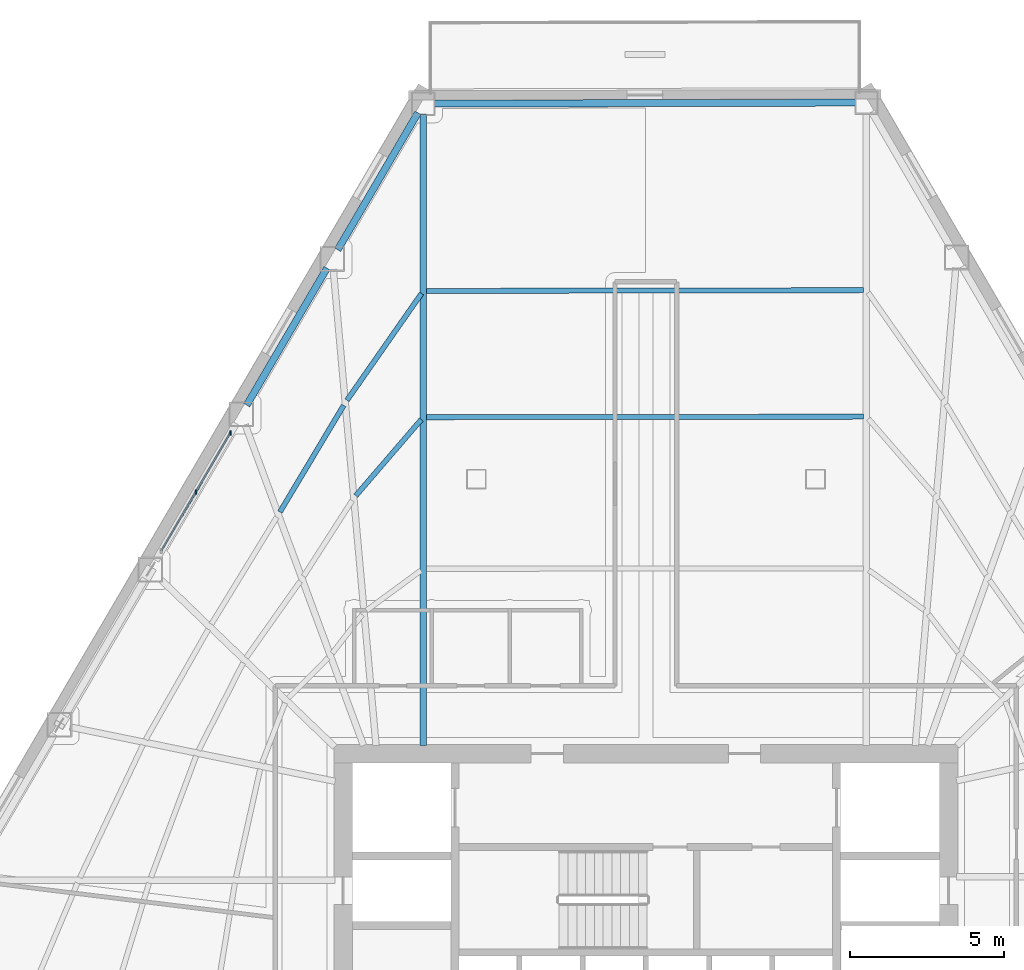
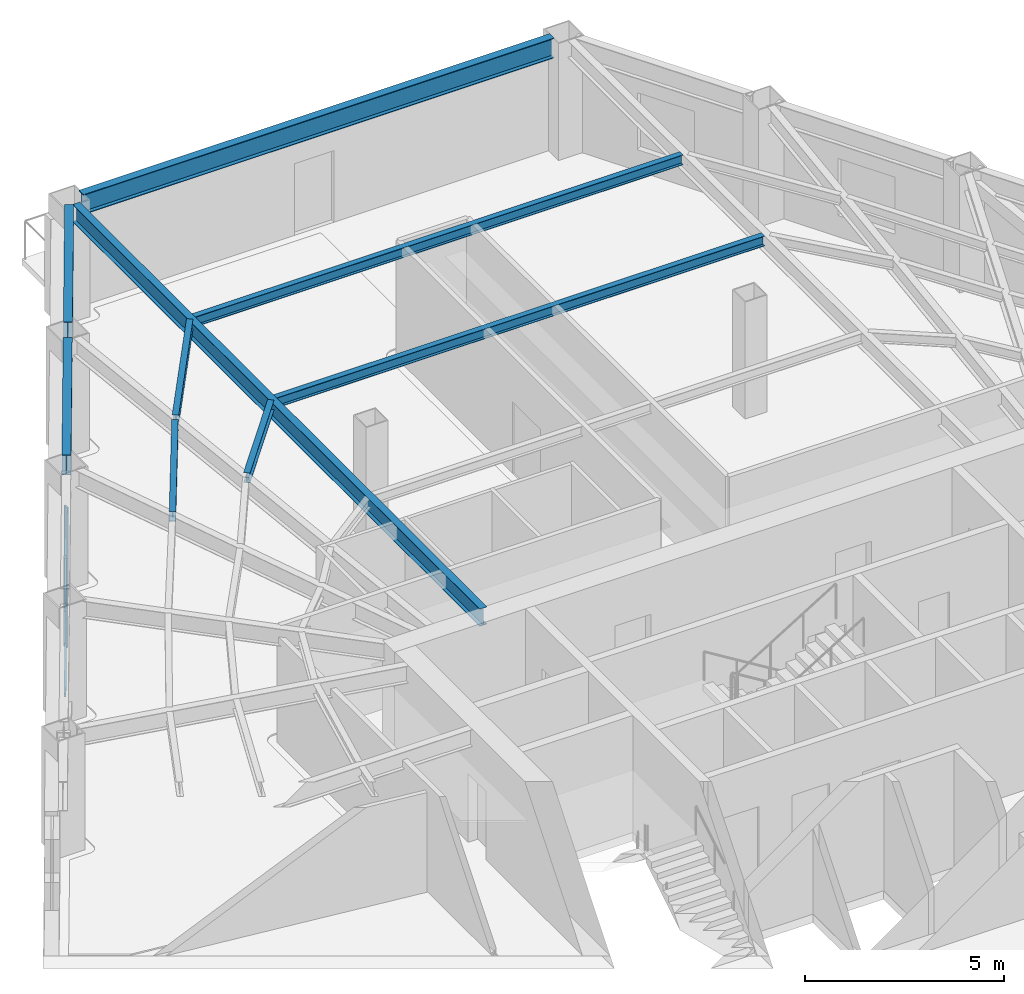
# One storey, part 4 of 15: 9 beams, 4 members, 1 element without a shape of its own.
"""IFC4 building model written with IfcOpenShell, lengths in metres."""

import ifcopenshell
import ifcopenshell.guid

model = None  # the IFC model being written
_history = None  # IfcOwnerHistory: only IFC2X3 demands one
_inside = {}  # id of a spatial element -> (the spatial element, [elements in it])
_under = {}  # id of a project, library or spatial element -> (it, [spatial elements below it])
_declared = {}  # id of a project -> (the project, [libraries it declares])
_typed = {}  # id of a type object -> (the type object, [elements of that type])
_made_of = {}  # id of a material, layer set ... -> (it, [elements and type objects made of it])


def new_model(schema):
    """Start an empty IFC model of exactly this schema.

    Asked for "IFC4X3", IfcOpenShell would pick the latest addendum, in which some entities
    have other attributes; the version numbers below select the first issue.
    IFC2X3 requires an IfcOwnerHistory on every rooted entity: one is made here for all.
    """
    global model, _history
    if schema == "IFC4X3":
        model = ifcopenshell.file(schema_version=(4, 3, 0, 0))
    else:
        model = ifcopenshell.file(schema=schema)
    _inside.clear()
    _under.clear()
    _declared.clear()
    _typed.clear()
    _made_of.clear()
    _history = None
    if model.schema == "IFC2X3":
        org = make("IfcOrganization", Name="unknown")
        user = make(
            "IfcPersonAndOrganization",
            ThePerson=make("IfcPerson", FamilyName="unknown"),
            TheOrganization=org,
        )
        app = make(
            "IfcApplication",
            ApplicationDeveloper=org,
            Version="unknown",
            ApplicationFullName="unknown",
            ApplicationIdentifier="unknown",
        )
        _history = make(
            "IfcOwnerHistory",
            OwningUser=user,
            OwningApplication=app,
            ChangeAction="ADDED",
            CreationDate=0,
        )
    return model


def make(cls, **values):
    """One entity of the class cls with the attributes given. An attribute that is None is left unset."""
    return model.create_entity(
        cls, **{name: value for name, value in values.items() if value is not None}
    )


def rooted(cls, **values):
    """An entity with a GlobalId (a new one), such as an element, a storey or a relation."""
    return make(cls, GlobalId=ifcopenshell.guid.new(), OwnerHistory=_history, **values)


def si_unit(unit_type, name, prefix=None):
    """IfcSIUnit, for example si_unit("LENGTHUNIT", "METRE", prefix="MILLI")."""
    return make("IfcSIUnit", UnitType=unit_type, Prefix=prefix, Name=name)


def assignment(units):
    """IfcUnitAssignment: the units of a project."""
    return None if units is None else make("IfcUnitAssignment", Units=units)


def point(xyz):
    """IfcCartesianPoint."""
    return None if xyz is None else make("IfcCartesianPoint", Coordinates=xyz)


def direction(xyz):
    """IfcDirection."""
    return None if xyz is None else make("IfcDirection", DirectionRatios=xyz)


def frame(location, z_axis=None, x_axis=None):
    """IfcAxis2Placement3D, a coordinate frame: its origin and axes. An axis left out is left unset."""
    return make(
        "IfcAxis2Placement3D",
        Location=point(location),
        Axis=direction(z_axis),
        RefDirection=direction(x_axis),
    )


def frame_2d(location, x_axis=None):
    """IfcAxis2Placement2D, a coordinate frame in the plane: its origin and x axis."""
    return make(
        "IfcAxis2Placement2D", Location=point(location), RefDirection=direction(x_axis)
    )


def origin():
    """The frame at (0, 0, 0) with its axes left unset."""
    return frame((0.0, 0.0, 0.0))


def origin_2d():
    """The frame at (0, 0) in the plane with its x axis left unset."""
    return frame_2d((0.0, 0.0))


def place(relative_to, where):
    """IfcLocalPlacement: puts the frame where relative to a parent placement (None: the world)."""
    return make(
        "IfcLocalPlacement", PlacementRelTo=relative_to, RelativePlacement=where
    )


def context(
    kind, dimensions, precision=None, world=None, true_north=None, identifier=None
):
    """IfcGeometricRepresentationContext, for example the 3D "Model" context."""
    return make(
        "IfcGeometricRepresentationContext",
        ContextIdentifier=identifier,
        ContextType=kind,
        CoordinateSpaceDimension=dimensions,
        Precision=precision,
        WorldCoordinateSystem=world,
        TrueNorth=true_north,
    )


def subcontext(parent, identifier, kind, view, scale=None):
    """IfcGeometricRepresentationSubContext, for example "Body" below "Model"."""
    return make(
        "IfcGeometricRepresentationSubContext",
        ContextIdentifier=identifier,
        ContextType=kind,
        ParentContext=parent,
        TargetScale=scale,
        TargetView=view,
    )


def project(units=None, contexts=None):
    """IfcProject with its units and contexts."""
    return rooted(
        "IfcProject",
        Name="project",
        RepresentationContexts=contexts,
        UnitsInContext=assignment(units),
    )


def spatial(cls, under=None, at=None, **own):
    """A site, building, storey or space (cls), placed at a placement, below another one or the project."""
    s = rooted(cls, ObjectPlacement=at, **own)
    if under is not None:
        _under.setdefault(under.id(), (under, []))[1].append(s)
    return s


def profile(cls, at=None, kind="AREA", **sizes):
    """A parametric profile (cls). Its sizes go by their IFC names, for example OverallWidth=200.0."""
    return make(cls, ProfileType=kind, Position=at, **sizes)


def rectangle(**sizes):
    """IfcRectangleProfileDef."""
    return profile("IfcRectangleProfileDef", **sizes)


def i_section(**sizes):
    """IfcIShapeProfileDef."""
    return profile("IfcIShapeProfileDef", **sizes)


def extrude(swept, where, along, depth):
    """IfcExtrudedAreaSolid: the profile swept, set in the frame where, extruded along a direction by depth."""
    return make(
        "IfcExtrudedAreaSolid",
        SweptArea=swept,
        Position=where,
        ExtrudedDirection=direction(along),
        Depth=depth,
    )


def shape(context_of_items, identifier, shape_type, items):
    """IfcShapeRepresentation: the items that make up one representation, for example the "Body"."""
    return make(
        "IfcShapeRepresentation",
        ContextOfItems=context_of_items,
        RepresentationIdentifier=identifier,
        RepresentationType=shape_type,
        Items=items,
    )


def material(Name=None, Category=None):
    """IfcMaterial."""
    return make("IfcMaterial", Name=Name, Category=Category)


def layer(
    of_material, thickness, ventilated=None, Name=None, Category=None, Priority=None
):
    """IfcMaterialLayer: one layer of a wall or slab, of a material (None: an air gap)."""
    return make(
        "IfcMaterialLayer",
        Material=of_material,
        LayerThickness=thickness,
        IsVentilated=ventilated,
        Name=Name,
        Category=Category,
        Priority=Priority,
    )


def layer_set(layers, Name=None):
    """IfcMaterialLayerSet."""
    return make("IfcMaterialLayerSet", MaterialLayers=layers, LayerSetName=Name)


def material_profile(
    of_material, cross_section, Name=None, Category=None, Priority=None
):
    """IfcMaterialProfile: a cross section and its material."""
    return make(
        "IfcMaterialProfile",
        Name=Name,
        Material=of_material,
        Profile=cross_section,
        Priority=Priority,
        Category=Category,
    )


def profile_set(profiles, Name=None, composite=None):
    """IfcMaterialProfileSet."""
    return make(
        "IfcMaterialProfileSet",
        Name=Name,
        MaterialProfiles=profiles,
        CompositeProfile=composite,
    )


def made_of(thing, what):
    """Note that an element or type object is made of a material, layer set ...; save() writes the relation."""
    if what is not None:
        _made_of.setdefault(what.id(), (what, []))[1].append(thing)
    return thing


def type_object(cls, material=None, **own):
    """A type object (cls), such as IfcWallType, which elements share."""
    return made_of(rooted(cls, **own), material)


def element(
    cls,
    number,
    at=None,
    inside=None,
    cuts=None,
    type_object=None,
    material=None,
    context=None,
    identifier="Body",
    shape_type=None,
    held_by="IfcProductDefinitionShape",
    body=None,
    shapes=None,
    **own,
):
    """One element of the class cls, such as IfcWall. Its Tag is "e" and its number.

    at: its placement. inside: the storey or other place that contains it. cuts: it is an
    opening in that element (IfcRelVoidsElement). A single representation is given by context,
    identifier, shape_type and body (its items); several are given by shapes. held_by: the class
    of the entity that holds the representations. save() writes the other relations.
    """
    e = rooted(cls, Tag="e%d" % number, ObjectPlacement=at, **own)
    if body is not None:
        shapes = [shape(context, identifier, shape_type, body)]
    if shapes is not None:
        e.Representation = make(held_by, Representations=shapes)
    if inside is not None:
        _inside.setdefault(inside.id(), (inside, []))[1].append(e)
    if cuts is not None:
        rooted(
            "IfcRelVoidsElement", RelatingBuildingElement=cuts, RelatedOpeningElement=e
        )
    if type_object is not None:
        _typed.setdefault(type_object.id(), (type_object, []))[1].append(e)
    return made_of(e, material)


def aggregate(whole, parts):
    """IfcRelAggregates: a whole, such as a stair, and the parts it consists of."""
    return rooted("IfcRelAggregates", RelatingObject=whole, RelatedObjects=parts)


def save(model, path):
    """Write the relations noted so far, then the file.

    IfcRelAggregates (storeys below a building ...), IfcRelContainedInSpatialStructure (elements
    in a storey), IfcRelDefinesByType, IfcRelAssociatesMaterial and IfcRelDeclares: one each for
    every whole, place, type object, material and project.
    """
    for whole, parts in _under.values():
        aggregate(whole, parts)
    for where, things in _inside.values():
        rooted(
            "IfcRelContainedInSpatialStructure",
            RelatedElements=things,
            RelatingStructure=where,
        )
    for kind, things in _typed.values():
        rooted("IfcRelDefinesByType", RelatedObjects=things, RelatingType=kind)
    for what, things in _made_of.values():
        rooted("IfcRelAssociatesMaterial", RelatedObjects=things, RelatingMaterial=what)
    for by, libraries in _declared.values():
        rooted("IfcRelDeclares", RelatingContext=by, RelatedDefinitions=libraries)
    model.write(path)


model = new_model("IFC4")

# Units and contexts
model_context = context("Model", 3, precision=1e-05, world=origin(), true_north=direction((0.0, 1.0)))
body_context = subcontext(model_context, "Body", "Model", "MODEL_VIEW")
ifc_project = project(units=[si_unit("LENGTHUNIT", "METRE"), si_unit("AREAUNIT", "SQUARE_METRE"), si_unit("VOLUMEUNIT", "CUBIC_METRE"), si_unit("PLANEANGLEUNIT", "RADIAN"), si_unit("MASSUNIT", "GRAM", prefix="KILO")], contexts=[model_context])

# Site, building, storey
site_placement = place(None, origin())
site = spatial("IfcSite", under=ifc_project, at=site_placement, CompositionType="ELEMENT")
building_placement = place(site_placement, origin())
building = spatial("IfcBuilding", under=site, at=building_placement, Name="Kavelnor Concourse Tower", CompositionType="ELEMENT")
storey_placement = place(building_placement, frame((0.0, 0.0, 63.75)))
storey = spatial("IfcBuildingStorey", under=building, at=storey_placement, Name="L16", CompositionType="ELEMENT", Elevation=63.75)

# Beams
ifc_material_1 = material(Name="Steel Grade 350", Category="steel")
ifc_material_profile_1 = material_profile(ifc_material_1, i_section(OverallWidth=0.166015625, OverallDepth=0.306884765625, WebThickness=0.006591796875, FlangeThickness=0.01171875, at=origin_2d()), Name="310UB46")
ifc_profile_set_1 = profile_set([ifc_material_profile_1], Name="Steel Grade 350")
beam_type_1 = type_object("IfcBeamType", Name="BM-JOIST-310", PredefinedType="JOIST", material=ifc_profile_set_1)
for number, where, z_axis, x_axis, name in (
    (1, (45.05810546875, 33.82861328125, 3.4365234375), (-0.999999209982, -0.001256994272, 0.0), (0.001256994272, -0.999999209982, 0.0), "L16 Secondary Composite Joist 15-2"),
    (2, (45.05810546875, 37.931884765625, 3.4365234375), (-0.999998517514, -0.001721908769, 0.0), (0.001721908769, -0.999998517514, 0.0), "L16 Secondary Composite Joist 15-3"),
):
    element("IfcBeam", number, at=place(storey_placement, frame(where, z_axis=z_axis, x_axis=x_axis)), inside=storey, type_object=beam_type_1, Name=name, PredefinedType="JOIST", context=body_context, shape_type="SweptSolid", body=[
        extrude(i_section(OverallWidth=0.166015625, OverallDepth=0.306884765625, WebThickness=0.006591796875, FlangeThickness=0.01171875, at=origin_2d()), origin(), (0.0, 0.0, 1.0), 14.178466796875),
    ])
beam_1_placement = place(storey_placement, frame((30.716796875, 33.736083984375, 3.4365234375), z_axis=(-0.652233906005, -0.75801776487, 0.0), x_axis=(0.75801776487, -0.652233906005, 0.0)))
element("IfcBeam", 3, at=beam_1_placement, inside=storey, type_object=beam_type_1, Name="L16 Secondary Composite Joist 16-2", PredefinedType="JOIST", context=body_context, shape_type="SweptSolid", body=[
    extrude(i_section(OverallWidth=0.166015625, OverallDepth=0.306884765625, WebThickness=0.006591796875, FlangeThickness=0.01171875, at=origin_2d()), origin(), (0.0, 0.0, 1.0), 3.2587890625),
])
beam_2_placement = place(storey_placement, frame((30.724609375, 37.826416015625, 3.4365234375), z_axis=(-0.572318035715, -0.820031746944, 0.0), x_axis=(0.820031746944, -0.572318035715, 0.0)))
element("IfcBeam", 4, at=beam_2_placement, inside=storey, type_object=beam_type_1, Name="L16 Secondary Composite Joist 16-3", PredefinedType="JOIST", context=body_context, shape_type="SweptSolid", body=[
    extrude(i_section(OverallWidth=0.166015625, OverallDepth=0.306884765625, WebThickness=0.006591796875, FlangeThickness=0.01171875, at=origin_2d()), origin(), (0.0, 0.0, 1.0), 4.22607421875),
])
beam_3_placement = place(storey_placement, frame((28.198974609375, 34.195556640625, 3.4365234375), z_axis=(-0.513319526911, -0.858197566585, 0.0), x_axis=(0.858197566585, -0.513319526911, 0.0)))
element("IfcBeam", 5, at=beam_3_placement, inside=storey, type_object=beam_type_1, Name="L16 Secondary Composite Joist 17-3", PredefinedType="JOIST", context=body_context, shape_type="SweptSolid", body=[
    extrude(i_section(OverallWidth=0.166015625, OverallDepth=0.306884765625, WebThickness=0.006591796875, FlangeThickness=0.01171875, at=origin_2d()), origin(), (0.0, 0.0, 1.0), 4.03076171875),
])
ifc_material_profile_2 = material_profile(ifc_material_1, i_section(OverallWidth=0.208984375, OverallDepth=0.528076171875, WebThickness=0.009521484375, FlangeThickness=0.01318359375, at=origin_2d()), Name="530UB82")
ifc_profile_set_2 = profile_set([ifc_material_profile_2], Name="Steel Grade 350")
beam_type_2 = type_object("IfcBeamType", Name="BM-PRIMARY-530", PredefinedType="BEAM", material=ifc_profile_set_2)
beam_4_placement = place(storey_placement, frame((30.781005859375, 23.159912109375, 3.325927734375), z_axis=(0.0, 1.0, 0.0), x_axis=(-1.0, 0.0, 0.0)))
element("IfcBeam", 6, at=beam_4_placement, inside=storey, type_object=beam_type_2, Name="L16 Primary Floor Girder F0-B0", PredefinedType="BEAM", context=body_context, shape_type="SweptSolid", body=[
    extrude(i_section(OverallWidth=0.208984375, OverallDepth=0.528076171875, WebThickness=0.009521484375, FlangeThickness=0.01318359375, at=origin_2d()), origin(), (0.0, 0.0, 1.0), 20.482421875),
])
ifc_material_profile_3 = material_profile(ifc_material_1, i_section(OverallWidth=0.22900390625, OverallDepth=0.612060546875, WebThickness=0.011962890625, FlangeThickness=0.01953125, at=origin_2d()), Name="610UB125")
ifc_profile_set_3 = profile_set([ifc_material_profile_3], Name="Steel Grade 350")
beam_type_3 = type_object("IfcBeamType", Name="BM-SPANDREL-Z1", PredefinedType="SPANDREL", material=ifc_profile_set_3)
for number, where, z_axis, x_axis, name in (
    (7, (30.606689453125, 43.6845703125, 3.283935546875), (-0.505415217159, -0.862876270542, 0.0), (0.862876270542, -0.505415217159, 0.0), "L16 Perimeter Tube Spandrel Beam F0-B0"),
    (8, (27.65576171875, 38.64697265625, 3.283935546875), (-0.505415217159, -0.862876270542, 0.0), (0.862876270542, -0.505415217159, 0.0), "L16 Perimeter Tube Spandrel Beam F0-B1"),
):
    element("IfcBeam", number, at=place(storey_placement, frame(where, z_axis=z_axis, x_axis=x_axis)), inside=storey, type_object=beam_type_3, Name=name, PredefinedType="SPANDREL", context=body_context, shape_type="SweptSolid", body=[
        extrude(i_section(OverallWidth=0.22900390625, OverallDepth=0.612060546875, WebThickness=0.011962890625, FlangeThickness=0.01953125, at=origin_2d()), origin(), (0.0, 0.0, 1.0), 5.1484375),
    ])
beam_5_placement = place(storey_placement, frame((44.811767578125, 44.01611328125, 3.283935546875), z_axis=(-0.999997100044, -0.002408298996, 0.0), x_axis=(0.002408298996, -0.999997100044, 0.0)))
element("IfcBeam", 9, at=beam_5_placement, inside=storey, type_object=beam_type_3, Name="L16 Chamfer Facet Spandrel Beam C0", PredefinedType="SPANDREL", context=body_context, shape_type="SweptSolid", body=[
    extrude(i_section(OverallWidth=0.22900390625, OverallDepth=0.612060546875, WebThickness=0.011962890625, FlangeThickness=0.01953125, at=origin_2d()), origin(), (0.0, 0.0, 1.0), 13.685546875),
])

# Curtain wall, members
ifc_material_2 = material(Name="Anodised aluminium 6063-T6", Category="aluminium")
ifc_layer = layer(ifc_material_2, 0.139892578125, Name="Anodised aluminium 6063-T6")
ifc_layer_set = layer_set([ifc_layer], Name="Anodised aluminium 6063-T6")
curtain_wall_type = type_object("IfcCurtainWallType", Name="CW-TERRACE-PAVILION", PredefinedType="NOTDEFINED", material=ifc_layer_set)
curtain_wall_placement = place(storey_placement, origin())
curtain_wall = element("IfcCurtainWall", 10, at=curtain_wall_placement, inside=storey, type_object=curtain_wall_type, Name="L16 Terrace Pavilion Curtain Wall", PredefinedType="NOTDEFINED")
ifc_material_profile_4 = material_profile(ifc_material_2, rectangle(XDim=0.054931640625, YDim=0.139892578125, at=origin_2d()), Name="AL-MULL 55x140")
ifc_profile_set_4 = profile_set([ifc_material_profile_4], Name="Anodised aluminium 6063-T6")
member_type_1 = type_object("IfcMemberType", Name="CW-TERRACE-PAVILION-MULL", PredefinedType="MULLION", material=ifc_profile_set_4)
member_1_placement = place(storey_placement, frame((24.525390625, 33.302734375, 0.0), z_axis=(0.0, 0.0, 1.0), x_axis=(1.0, 0.0, 0.0)))
member_1 = element("IfcMember", 11, at=member_1_placement, type_object=member_type_1, Name="L16 Terrace Pavilion Curtain Wall Mullion 0", PredefinedType="MULLION", context=body_context, shape_type="SweptSolid", body=[
    extrude(rectangle(XDim=0.054931640625, YDim=0.139892578125, at=origin_2d()), origin(), (0.0, 0.0, 1.0), 2.75),
])
member_2_placement = place(storey_placement, frame((23.40380859375, 31.387939453125, 0.0), z_axis=(0.0, 0.0, 1.0), x_axis=(1.0, 0.0, 0.0)))
member_2 = element("IfcMember", 12, at=member_2_placement, type_object=member_type_1, Name="L16 Terrace Pavilion Curtain Wall Mullion 1", PredefinedType="MULLION", context=body_context, shape_type="SweptSolid", body=[
    extrude(rectangle(XDim=0.054931640625, YDim=0.139892578125, at=origin_2d()), origin(), (0.0, 0.0, 1.0), 2.75),
])
ifc_material_profile_5 = material_profile(ifc_material_2, rectangle(XDim=0.054931640625, YDim=0.1201171875, at=origin_2d()), Name="AL-TRAN 55x120")
ifc_profile_set_5 = profile_set([ifc_material_profile_5], Name="Anodised aluminium 6063-T6")
member_type_2 = type_object("IfcMemberType", Name="CW-TERRACE-PAVILION-TRAN", PredefinedType="USERDEFINED", material=ifc_profile_set_5)
member_3_placement = place(storey_placement, frame((24.525390625, 33.302734375, 0.06005859375), z_axis=(-0.505423005234, -0.862871708761, 0.0), x_axis=(0.862871708761, -0.505423005234, 0.0)))
member_3 = element("IfcMember", 13, at=member_3_placement, type_object=member_type_2, Name="L16 Terrace Pavilion Curtain Wall Transom 0-BOT", ObjectType="TRANSOM", PredefinedType="USERDEFINED", context=body_context, shape_type="SweptSolid", body=[
    extrude(rectangle(XDim=0.054931640625, YDim=0.1201171875, at=origin_2d()), origin(), (0.0, 0.0, 1.0), 4.438232421875),
])
member_4_placement = place(storey_placement, frame((24.525390625, 33.302734375, 2.68994140625), z_axis=(-0.505423005234, -0.862871708761, 0.0), x_axis=(0.862871708761, -0.505423005234, 0.0)))
member_4 = element("IfcMember", 14, at=member_4_placement, type_object=member_type_2, Name="L16 Terrace Pavilion Curtain Wall Transom 0-TOP", ObjectType="TRANSOM", PredefinedType="USERDEFINED", context=body_context, shape_type="SweptSolid", body=[
    extrude(rectangle(XDim=0.054931640625, YDim=0.1201171875, at=origin_2d()), origin(), (0.0, 0.0, 1.0), 4.438232421875),
])
aggregate(curtain_wall, [member_1, member_2, member_3, member_4])

save(model, "model.ifc")
